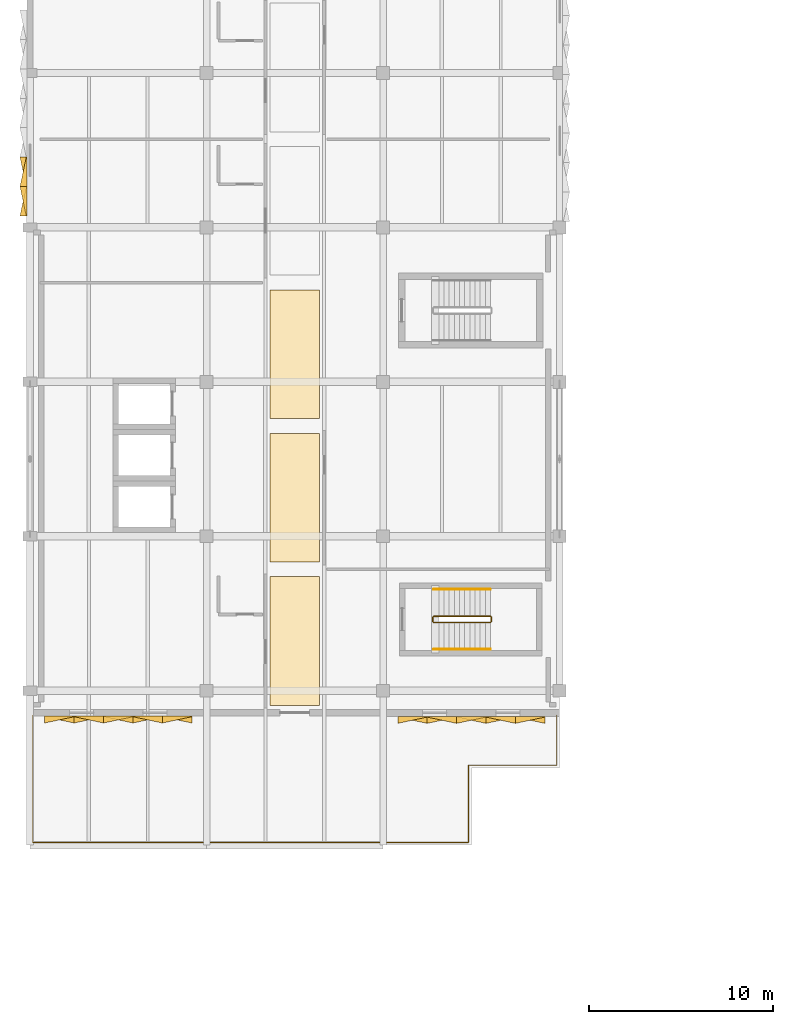
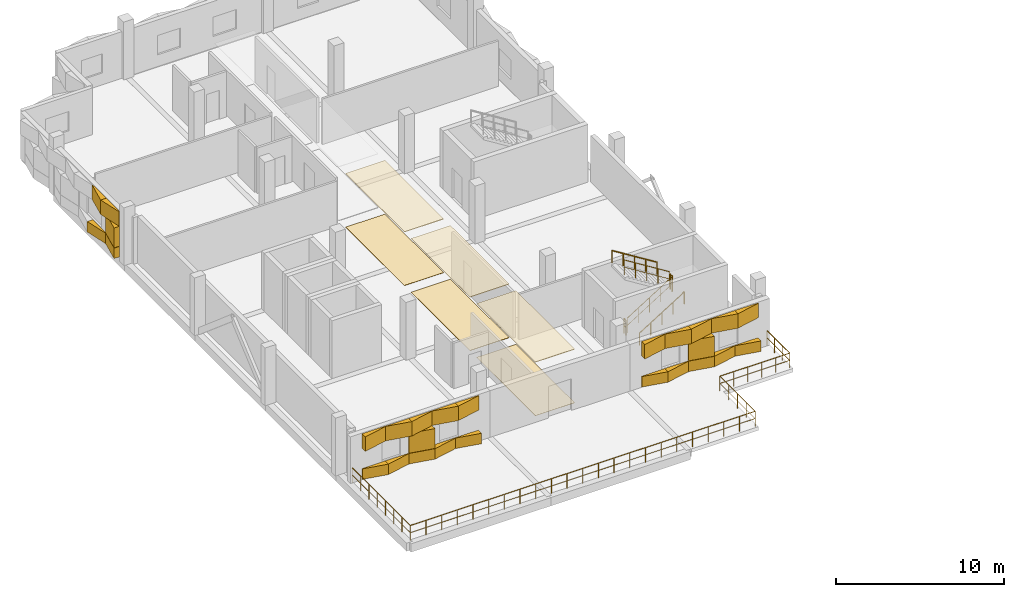
# One storey, part 18 of 24: 33 coverings, 7 railings.
"""IFC4 building model written with IfcOpenShell, lengths in metres."""

from ifc_helpers import new_model, si_unit, direction, frame, origin, origin_2d, place, context, subcontext, project, spatial, polyline, circle, outline, extrude, material, layer, layer_set, type_object, element, save


model = new_model("IFC4")

# Units and contexts
model_context = context("Model", 3, precision=1e-05, world=origin(), true_north=direction((0.0, 1.0)))
body_context = subcontext(model_context, "Body", "Model", "MODEL_VIEW")
ifc_project = project(units=[si_unit("LENGTHUNIT", "METRE"), si_unit("AREAUNIT", "SQUARE_METRE"), si_unit("VOLUMEUNIT", "CUBIC_METRE"), si_unit("PLANEANGLEUNIT", "RADIAN"), si_unit("MASSUNIT", "GRAM", prefix="KILO")], contexts=[model_context])

# Site, building, storey
site_placement = place(None, origin())
site = spatial("IfcSite", under=ifc_project, at=site_placement, CompositionType="ELEMENT")
building_placement = place(site_placement, origin())
building = spatial("IfcBuilding", under=site, at=building_placement, Name="Oolite Switchyard Hospital", CompositionType="ELEMENT")
storey_placement = place(building_placement, frame((0.0, 0.0, 22.0)))
storey = spatial("IfcBuildingStorey", under=building, at=storey_placement, Name="L05", CompositionType="ELEMENT", Elevation=22.0)

# Coverings
ifc_material_1 = material(Name="Hygienic washable mineral-fibre acoustic ceiling")
ifc_layer_1 = layer(ifc_material_1, 0.0400390625)
ifc_layer_set_1 = layer_set([ifc_layer_1], Name="COV-CEIL-AC60")
covering_type_1 = type_object("IfcCoveringType", Name="COV-CEIL-AC60", PredefinedType="CEILING", material=ifc_layer_set_1)
covering_1_placement = place(storey_placement, frame((0.0, 0.0, 3.885009765625)))
element("IfcCovering", 1, at=covering_1_placement, inside=storey, type_object=covering_type_1, Name="L05 West Cardiac Telemetry Ward Corridor Ceiling 1", PredefinedType="CEILING", context=body_context, shape_type="SweptSolid", body=[
    extrude(outline(polyline([(13.050048828125, 41.199951171875), (15.75, 41.199951171875), (15.75, 48.199951171875), (13.050048828125, 48.199951171875), (13.050048828125, 41.199951171875)])), origin(), (0.0, 0.0, 1.0), 0.0400390625),
])
covering_2_placement = place(storey_placement, frame((0.0, 0.0, 3.885009765625)))
element("IfcCovering", 2, at=covering_2_placement, inside=storey, type_object=covering_type_1, Name="L05 West Cardiac Telemetry Ward Corridor Ceiling 2", PredefinedType="CEILING", context=body_context, shape_type="SweptSolid", body=[
    extrude(outline(polyline([(13.050048828125, 49.0), (15.75, 49.0), (15.75, 56.0), (13.050048828125, 56.0), (13.050048828125, 49.0)])), origin(), (0.0, 0.0, 1.0), 0.0400390625),
])
covering_3_placement = place(storey_placement, frame((0.0, 0.0, 3.885009765625)))
element("IfcCovering", 3, at=covering_3_placement, inside=storey, type_object=covering_type_1, Name="L05 West Cardiac Telemetry Ward Corridor Ceiling 3", PredefinedType="CEILING", context=body_context, shape_type="SweptSolid", body=[
    extrude(outline(polyline([(13.050048828125, 56.800048828125), (15.75, 56.800048828125), (15.75, 63.800048828125), (13.050048828125, 63.800048828125), (13.050048828125, 56.800048828125)])), origin(), (0.0, 0.0, 1.0), 0.0400390625),
])
ifc_material_2 = material(Name="Precast oolitic limestone architectural concrete C40/50", Category="masonry")
covering_type_2 = type_object("IfcCoveringType", Name="COV-CHEV-WARM", PredefinedType="CLADDING", material=ifc_material_2)
covering_4_placement = place(storey_placement, frame((8.800048828125, 40.6298828125, 0.050048828125), z_axis=(0.0, 0.0, 1.0), x_axis=(-1.0, 0.0, 0.0)))
element("IfcCovering", 4, at=covering_4_placement, inside=storey, type_object=covering_type_2, Name="L05 Chevron Precast Oolite Panel 1047", PredefinedType="CLADDING", context=body_context, shape_type="SweptSolid", body=[
    extrude(outline(polyline([(0.0, 0.0), (1.60009765625, 0.0), (1.60009765625, 0.044921875), (0.0, 0.385009765625), (0.0, 0.0)])), origin(), (0.0, 0.0, 1.0), 0.760009765625),
])
covering_5_placement = place(storey_placement, frame((8.800048828125, 40.6298828125, 2.2900390625), z_axis=(0.0, 0.0, 1.0), x_axis=(-1.0, 0.0, 0.0)))
element("IfcCovering", 5, at=covering_5_placement, inside=storey, type_object=covering_type_2, Name="L05 Chevron Precast Oolite Panel 1048", PredefinedType="CLADDING", context=body_context, shape_type="SweptSolid", body=[
    extrude(outline(polyline([(0.0, 0.0), (1.60009765625, 0.0), (1.60009765625, 0.385009765625), (0.0, 0.044921875), (0.0, 0.0)])), origin(), (0.0, 0.0, 1.0), 1.050048828125),
])
covering_6_placement = place(storey_placement, frame((7.199951171875, 40.6298828125, 0.050048828125), z_axis=(0.0, 0.0, 1.0), x_axis=(-1.0, 0.0, 0.0)))
element("IfcCovering", 6, at=covering_6_placement, inside=storey, type_object=covering_type_2, Name="L05 Chevron Precast Oolite Panel 1049", PredefinedType="CLADDING", context=body_context, shape_type="SweptSolid", body=[
    extrude(outline(polyline([(0.0, 0.0), (1.599853515625, 0.0), (1.599853515625, 0.385009765625), (0.0, 0.044921875), (0.0, 0.0)])), origin(), (0.0, 0.0, 1.0), 0.760009765625),
])
covering_7_placement = place(storey_placement, frame((7.199951171875, 40.6298828125, 2.2900390625), z_axis=(0.0, 0.0, 1.0), x_axis=(-1.0, 0.0, 0.0)))
element("IfcCovering", 7, at=covering_7_placement, inside=storey, type_object=covering_type_2, Name="L05 Chevron Precast Oolite Panel 1050", PredefinedType="CLADDING", context=body_context, shape_type="SweptSolid", body=[
    extrude(outline(polyline([(0.0, 0.0), (1.599853515625, 0.0), (1.599853515625, 0.044921875), (0.0, 0.385009765625), (0.0, 0.0)])), origin(), (0.0, 0.0, 1.0), 1.050048828125),
])
covering_8_placement = place(storey_placement, frame((5.60009765625, 40.6298828125, 0.050048828125), z_axis=(0.0, 0.0, 1.0), x_axis=(-1.0, 0.0, 0.0)))
element("IfcCovering", 8, at=covering_8_placement, inside=storey, type_object=covering_type_2, Name="L05 Chevron Precast Oolite Panel 1051", PredefinedType="CLADDING", context=body_context, shape_type="SweptSolid", body=[
    extrude(outline(polyline([(0.0, 0.0), (1.60009765625, 0.0), (1.60009765625, 0.044921875), (0.0, 0.385009765625), (0.0, 0.0)])), origin(), (0.0, 0.0, 1.0), 0.760009765625),
])
covering_9_placement = place(storey_placement, frame((5.60009765625, 40.6298828125, 2.2900390625), z_axis=(0.0, 0.0, 1.0), x_axis=(-1.0, 0.0, 0.0)))
element("IfcCovering", 9, at=covering_9_placement, inside=storey, type_object=covering_type_2, Name="L05 Chevron Precast Oolite Panel 1052", PredefinedType="CLADDING", context=body_context, shape_type="SweptSolid", body=[
    extrude(outline(polyline([(0.0, 0.0), (1.60009765625, 0.0), (1.60009765625, 0.385009765625), (0.0, 0.044921875), (0.0, 0.0)])), origin(), (0.0, 0.0, 1.0), 1.050048828125),
])
covering_10_placement = place(storey_placement, frame((5.60009765625, 40.6298828125, 0.830078125), z_axis=(0.0, 0.0, 1.0), x_axis=(-1.0, 0.0, 0.0)))
element("IfcCovering", 10, at=covering_10_placement, inside=storey, type_object=covering_type_2, Name="L05 Chevron Precast Oolite Panel 1053", PredefinedType="CLADDING", context=body_context, shape_type="SweptSolid", body=[
    extrude(outline(polyline([(0.0, 0.0), (1.60009765625, 0.0), (1.60009765625, 0.044921875), (0.0, 0.385009765625), (0.0, 0.0)])), origin(), (0.0, 0.0, 1.0), 1.43994140625),
])
covering_11_placement = place(storey_placement, frame((4.0, 40.6298828125, 0.050048828125), z_axis=(0.0, 0.0, 1.0), x_axis=(-1.0, 0.0, 0.0)))
element("IfcCovering", 11, at=covering_11_placement, inside=storey, type_object=covering_type_2, Name="L05 Chevron Precast Oolite Panel 1054", PredefinedType="CLADDING", context=body_context, shape_type="SweptSolid", body=[
    extrude(outline(polyline([(0.0, 0.0), (1.60009765625, 0.0), (1.60009765625, 0.385009765625), (0.0, 0.044921875), (0.0, 0.0)])), origin(), (0.0, 0.0, 1.0), 0.760009765625),
])
covering_12_placement = place(storey_placement, frame((4.0, 40.6298828125, 2.2900390625), z_axis=(0.0, 0.0, 1.0), x_axis=(-1.0, 0.0, 0.0)))
element("IfcCovering", 12, at=covering_12_placement, inside=storey, type_object=covering_type_2, Name="L05 Chevron Precast Oolite Panel 1055", PredefinedType="CLADDING", context=body_context, shape_type="SweptSolid", body=[
    extrude(outline(polyline([(0.0, 0.0), (1.60009765625, 0.0), (1.60009765625, 0.044921875), (0.0, 0.385009765625), (0.0, 0.0)])), origin(), (0.0, 0.0, 1.0), 1.050048828125),
])
covering_13_placement = place(storey_placement, frame((2.39990234375, 40.6298828125, 0.050048828125), z_axis=(0.0, 0.0, 1.0), x_axis=(-1.0, 0.0, 0.0)))
element("IfcCovering", 13, at=covering_13_placement, inside=storey, type_object=covering_type_2, Name="L05 Chevron Precast Oolite Panel 1056", PredefinedType="CLADDING", context=body_context, shape_type="SweptSolid", body=[
    extrude(outline(polyline([(0.0, 0.0), (1.599853515625, 0.0), (1.599853515625, 0.044921875), (0.0, 0.385009765625), (0.0, 0.0)])), origin(), (0.0, 0.0, 1.0), 0.760009765625),
])
covering_14_placement = place(storey_placement, frame((2.39990234375, 40.6298828125, 2.2900390625), z_axis=(0.0, 0.0, 1.0), x_axis=(-1.0, 0.0, 0.0)))
element("IfcCovering", 14, at=covering_14_placement, inside=storey, type_object=covering_type_2, Name="L05 Chevron Precast Oolite Panel 1057", PredefinedType="CLADDING", context=body_context, shape_type="SweptSolid", body=[
    extrude(outline(polyline([(0.0, 0.0), (1.599853515625, 0.0), (1.599853515625, 0.385009765625), (0.0, 0.044921875), (0.0, 0.0)])), origin(), (0.0, 0.0, 1.0), 1.050048828125),
])
covering_15_placement = place(storey_placement, frame((28.0, 40.610107421875, 0.050048828125), z_axis=(0.0, 0.0, 1.0), x_axis=(-1.0, 0.0, 0.0)))
element("IfcCovering", 15, at=covering_15_placement, inside=storey, type_object=covering_type_2, Name="L05 Chevron Precast Oolite Panel 1058", PredefinedType="CLADDING", context=body_context, shape_type="SweptSolid", body=[
    extrude(outline(polyline([(0.0, 0.0), (1.60009765625, 0.0), (1.60009765625, 0.044921875), (0.0, 0.385009765625), (0.0, 0.0)])), origin(), (0.0, 0.0, 1.0), 0.760009765625),
])
covering_16_placement = place(storey_placement, frame((28.0, 40.610107421875, 2.2900390625), z_axis=(0.0, 0.0, 1.0), x_axis=(-1.0, 0.0, 0.0)))
element("IfcCovering", 16, at=covering_16_placement, inside=storey, type_object=covering_type_2, Name="L05 Chevron Precast Oolite Panel 1059", PredefinedType="CLADDING", context=body_context, shape_type="SweptSolid", body=[
    extrude(outline(polyline([(0.0, 0.0), (1.60009765625, 0.0), (1.60009765625, 0.385009765625), (0.0, 0.044921875), (0.0, 0.0)])), origin(), (0.0, 0.0, 1.0), 1.050048828125),
])
covering_17_placement = place(storey_placement, frame((26.39990234375, 40.610107421875, 0.050048828125), z_axis=(0.0, 0.0, 1.0), x_axis=(-1.0, 0.0, 0.0)))
element("IfcCovering", 17, at=covering_17_placement, inside=storey, type_object=covering_type_2, Name="L05 Chevron Precast Oolite Panel 1060", PredefinedType="CLADDING", context=body_context, shape_type="SweptSolid", body=[
    extrude(outline(polyline([(0.0, 0.0), (1.599853515625, 0.0), (1.599853515625, 0.385009765625), (0.0, 0.044921875), (0.0, 0.0)])), origin(), (0.0, 0.0, 1.0), 0.760009765625),
])
covering_18_placement = place(storey_placement, frame((26.39990234375, 40.610107421875, 2.2900390625), z_axis=(0.0, 0.0, 1.0), x_axis=(-1.0, 0.0, 0.0)))
element("IfcCovering", 18, at=covering_18_placement, inside=storey, type_object=covering_type_2, Name="L05 Chevron Precast Oolite Panel 1061", PredefinedType="CLADDING", context=body_context, shape_type="SweptSolid", body=[
    extrude(outline(polyline([(0.0, 0.0), (1.599853515625, 0.0), (1.599853515625, 0.044921875), (0.0, 0.385009765625), (0.0, 0.0)])), origin(), (0.0, 0.0, 1.0), 1.050048828125),
])
covering_19_placement = place(storey_placement, frame((24.800048828125, 40.610107421875, 0.050048828125), z_axis=(0.0, 0.0, 1.0), x_axis=(-1.0, 0.0, 0.0)))
element("IfcCovering", 19, at=covering_19_placement, inside=storey, type_object=covering_type_2, Name="L05 Chevron Precast Oolite Panel 1062", PredefinedType="CLADDING", context=body_context, shape_type="SweptSolid", body=[
    extrude(outline(polyline([(0.0, 0.0), (1.60009765625, 0.0), (1.60009765625, 0.044921875), (0.0, 0.385009765625), (0.0, 0.0)])), origin(), (0.0, 0.0, 1.0), 0.760009765625),
])
covering_20_placement = place(storey_placement, frame((24.800048828125, 40.610107421875, 2.2900390625), z_axis=(0.0, 0.0, 1.0), x_axis=(-1.0, 0.0, 0.0)))
element("IfcCovering", 20, at=covering_20_placement, inside=storey, type_object=covering_type_2, Name="L05 Chevron Precast Oolite Panel 1063", PredefinedType="CLADDING", context=body_context, shape_type="SweptSolid", body=[
    extrude(outline(polyline([(0.0, 0.0), (1.60009765625, 0.0), (1.60009765625, 0.385009765625), (0.0, 0.044921875), (0.0, 0.0)])), origin(), (0.0, 0.0, 1.0), 1.050048828125),
])
covering_21_placement = place(storey_placement, frame((24.800048828125, 40.610107421875, 0.830078125), z_axis=(0.0, 0.0, 1.0), x_axis=(-1.0, 0.0, 0.0)))
element("IfcCovering", 21, at=covering_21_placement, inside=storey, type_object=covering_type_2, Name="L05 Chevron Precast Oolite Panel 1064", PredefinedType="CLADDING", context=body_context, shape_type="SweptSolid", body=[
    extrude(outline(polyline([(0.0, 0.0), (1.60009765625, 0.0), (1.60009765625, 0.044921875), (0.0, 0.385009765625), (0.0, 0.0)])), origin(), (0.0, 0.0, 1.0), 1.43994140625),
])
covering_22_placement = place(storey_placement, frame((23.199951171875, 40.610107421875, 0.050048828125), z_axis=(0.0, 0.0, 1.0), x_axis=(-1.0, 0.0, 0.0)))
element("IfcCovering", 22, at=covering_22_placement, inside=storey, type_object=covering_type_2, Name="L05 Chevron Precast Oolite Panel 1065", PredefinedType="CLADDING", context=body_context, shape_type="SweptSolid", body=[
    extrude(outline(polyline([(0.0, 0.0), (1.599853515625, 0.0), (1.599853515625, 0.385009765625), (0.0, 0.044921875), (0.0, 0.0)])), origin(), (0.0, 0.0, 1.0), 0.760009765625),
])
covering_23_placement = place(storey_placement, frame((23.199951171875, 40.610107421875, 2.2900390625), z_axis=(0.0, 0.0, 1.0), x_axis=(-1.0, 0.0, 0.0)))
element("IfcCovering", 23, at=covering_23_placement, inside=storey, type_object=covering_type_2, Name="L05 Chevron Precast Oolite Panel 1066", PredefinedType="CLADDING", context=body_context, shape_type="SweptSolid", body=[
    extrude(outline(polyline([(0.0, 0.0), (1.599853515625, 0.0), (1.599853515625, 0.044921875), (0.0, 0.385009765625), (0.0, 0.0)])), origin(), (0.0, 0.0, 1.0), 1.050048828125),
])
covering_24_placement = place(storey_placement, frame((21.60009765625, 40.610107421875, 0.050048828125), z_axis=(0.0, 0.0, 1.0), x_axis=(-1.0, 0.0, 0.0)))
element("IfcCovering", 24, at=covering_24_placement, inside=storey, type_object=covering_type_2, Name="L05 Chevron Precast Oolite Panel 1067", PredefinedType="CLADDING", context=body_context, shape_type="SweptSolid", body=[
    extrude(outline(polyline([(0.0, 0.0), (1.60009765625, 0.0), (1.60009765625, 0.044921875), (0.0, 0.385009765625), (0.0, 0.0)])), origin(), (0.0, 0.0, 1.0), 0.760009765625),
])
covering_25_placement = place(storey_placement, frame((21.60009765625, 40.610107421875, 2.2900390625), z_axis=(0.0, 0.0, 1.0), x_axis=(-1.0, 0.0, 0.0)))
element("IfcCovering", 25, at=covering_25_placement, inside=storey, type_object=covering_type_2, Name="L05 Chevron Precast Oolite Panel 1068", PredefinedType="CLADDING", context=body_context, shape_type="SweptSolid", body=[
    extrude(outline(polyline([(0.0, 0.0), (1.60009765625, 0.0), (1.60009765625, 0.385009765625), (0.0, 0.044921875), (0.0, 0.0)])), origin(), (0.0, 0.0, 1.0), 1.050048828125),
])
covering_26_placement = place(storey_placement, frame((-0.159912109375, 67.820068359375, 0.050048828125), z_axis=(0.0, 0.0, 1.0), x_axis=(0.0, 1.0, 0.0)))
element("IfcCovering", 26, at=covering_26_placement, inside=storey, type_object=covering_type_2, Name="L05 Chevron Precast Oolite Panel 1239", PredefinedType="CLADDING", context=body_context, shape_type="SweptSolid", body=[
    extrude(outline(polyline([(0.0, 0.0), (1.599853515625, 0.0), (1.599853515625, 0.044921875), (0.0, 0.385009765625), (0.0, 0.0)])), origin(), (0.0, 0.0, 1.0), 0.760009765625),
])
covering_27_placement = place(storey_placement, frame((-0.159912109375, 67.820068359375, 2.2900390625), z_axis=(0.0, 0.0, 1.0), x_axis=(0.0, 1.0, 0.0)))
element("IfcCovering", 27, at=covering_27_placement, inside=storey, type_object=covering_type_2, Name="L05 Chevron Precast Oolite Panel 1240", PredefinedType="CLADDING", context=body_context, shape_type="SweptSolid", body=[
    extrude(outline(polyline([(0.0, 0.0), (1.599853515625, 0.0), (1.599853515625, 0.385009765625), (0.0, 0.044921875), (0.0, 0.0)])), origin(), (0.0, 0.0, 1.0), 1.050048828125),
])
covering_28_placement = place(storey_placement, frame((-0.159912109375, 67.820068359375, 0.830078125), z_axis=(0.0, 0.0, 1.0), x_axis=(0.0, 1.0, 0.0)))
element("IfcCovering", 28, at=covering_28_placement, inside=storey, type_object=covering_type_2, Name="L05 Chevron Precast Oolite Panel 1241", PredefinedType="CLADDING", context=body_context, shape_type="SweptSolid", body=[
    extrude(outline(polyline([(0.0, 0.0), (1.599853515625, 0.0), (1.599853515625, 0.044921875), (0.0, 0.385009765625), (0.0, 0.0)])), origin(), (0.0, 0.0, 1.0), 1.43994140625),
])
covering_29_placement = place(storey_placement, frame((-0.159912109375, 69.419921875, 0.050048828125), z_axis=(0.0, 0.0, 1.0), x_axis=(0.0, 1.0, 0.0)))
element("IfcCovering", 29, at=covering_29_placement, inside=storey, type_object=covering_type_2, Name="L05 Chevron Precast Oolite Panel 1242", PredefinedType="CLADDING", context=body_context, shape_type="SweptSolid", body=[
    extrude(outline(polyline([(0.0, 0.0), (1.60009765625, 0.0), (1.60009765625, 0.385009765625), (0.0, 0.044921875), (0.0, 0.0)])), origin(), (0.0, 0.0, 1.0), 0.760009765625),
])
covering_30_placement = place(storey_placement, frame((-0.159912109375, 69.419921875, 2.2900390625), z_axis=(0.0, 0.0, 1.0), x_axis=(0.0, 1.0, 0.0)))
element("IfcCovering", 30, at=covering_30_placement, inside=storey, type_object=covering_type_2, Name="L05 Chevron Precast Oolite Panel 1243", PredefinedType="CLADDING", context=body_context, shape_type="SweptSolid", body=[
    extrude(outline(polyline([(0.0, 0.0), (1.60009765625, 0.0), (1.60009765625, 0.044921875), (0.0, 0.385009765625), (0.0, 0.0)])), origin(), (0.0, 0.0, 1.0), 1.050048828125),
])
ifc_material_3 = material(Name="Epoxy terrazzo seamless clinical flooring")
ifc_layer_2 = layer(ifc_material_3, 0.02001953125)
ifc_layer_set_2 = layer_set([ifc_layer_2], Name="COV-FLR-TER20")
covering_type_3 = type_object("IfcCoveringType", Name="COV-FLR-TER20", PredefinedType="FLOORING", material=ifc_layer_set_2)
covering_31_placement = place(storey_placement, origin())
element("IfcCovering", 31, at=covering_31_placement, inside=storey, type_object=covering_type_3, Name="L05 West Cardiac Telemetry Ward Corridor Flooring 1", PredefinedType="FLOORING", context=body_context, shape_type="SweptSolid", body=[
    extrude(outline(polyline([(13.050048828125, 41.199951171875), (15.75, 41.199951171875), (15.75, 48.199951171875), (13.050048828125, 48.199951171875), (13.050048828125, 41.199951171875)])), origin(), (0.0, 0.0, 1.0), 0.02001953125),
])
covering_32_placement = place(storey_placement, origin())
element("IfcCovering", 32, at=covering_32_placement, inside=storey, type_object=covering_type_3, Name="L05 West Cardiac Telemetry Ward Corridor Flooring 2", PredefinedType="FLOORING", context=body_context, shape_type="SweptSolid", body=[
    extrude(outline(polyline([(13.050048828125, 49.0), (15.75, 49.0), (15.75, 56.0), (13.050048828125, 56.0), (13.050048828125, 49.0)])), origin(), (0.0, 0.0, 1.0), 0.02001953125),
])
covering_33_placement = place(storey_placement, origin())
element("IfcCovering", 33, at=covering_33_placement, inside=storey, type_object=covering_type_3, Name="L05 West Cardiac Telemetry Ward Corridor Flooring 3", PredefinedType="FLOORING", context=body_context, shape_type="SweptSolid", body=[
    extrude(outline(polyline([(13.050048828125, 56.800048828125), (15.75, 56.800048828125), (15.75, 63.800048828125), (13.050048828125, 63.800048828125), (13.050048828125, 56.800048828125)])), origin(), (0.0, 0.0, 1.0), 0.02001953125),
])

# Railings
ifc_material_4 = material(Name="Precast oolitic limestone classical balustrade", Category="masonry")
railing_type_1 = type_object("IfcRailingType", Name="RL-BAL-110", PredefinedType="BALUSTRADE", material=ifc_material_4)
railing_1_placement = place(storey_placement, frame((0.14990234375, 40.64990234375, 0.0)))
element("IfcRailing", 34, at=railing_1_placement, inside=storey, type_object=railing_type_1, Name="L05 Terrace Perimeter Guard 8", PredefinedType="BALUSTRADE", context=body_context, shape_type="SweptSolid", body=[
    extrude(circle(Radius=0.02392578125, at=origin_2d()), frame((0.0, 0.0, 1.076171875), z_axis=(0.0, -1.0, 0.0), x_axis=(1.0, 0.0, 0.0)), (0.0, 0.0, 1.0), 6.89990234375),
    extrude(circle(Radius=0.015625, at=origin_2d()), frame((0.0, 0.0, 0.550048828125), z_axis=(0.0, -1.0, 0.0), x_axis=(1.0, 0.0, 0.0)), (0.0, 0.0, 1.0), 6.89990234375),
    extrude(circle(Radius=0.02392578125, at=origin_2d()), frame((0.0, -6.89990234375, 1.076171875), z_axis=(1.0, 0.0, 0.0), x_axis=(0.0, 1.0, 0.0)), (0.0, 0.0, 1.0), 23.7001953125),
    extrude(circle(Radius=0.015625, at=origin_2d()), frame((0.0, -6.89990234375, 0.550048828125), z_axis=(1.0, 0.0, 0.0), x_axis=(0.0, 1.0, 0.0)), (0.0, 0.0, 1.0), 23.7001953125),
    extrude(circle(Radius=0.02392578125, at=origin_2d()), frame((23.7001953125, -6.89990234375, 1.076171875), z_axis=(0.0, 1.0, 0.0), x_axis=(-1.0, 0.0, 0.0)), (0.0, 0.0, 1.0), 4.199951171875),
    extrude(circle(Radius=0.015625, at=origin_2d()), frame((23.7001953125, -6.89990234375, 0.550048828125), z_axis=(0.0, 1.0, 0.0), x_axis=(-1.0, 0.0, 0.0)), (0.0, 0.0, 1.0), 4.199951171875),
    extrude(circle(Radius=0.02392578125, at=origin_2d()), frame((23.7001953125, -2.699951171875, 1.076171875), z_axis=(1.0, 0.0, 0.0), x_axis=(0.0, 1.0, 0.0)), (0.0, 0.0, 1.0), 4.7998046875),
    extrude(circle(Radius=0.015625, at=origin_2d()), frame((23.7001953125, -2.699951171875, 0.550048828125), z_axis=(1.0, 0.0, 0.0), x_axis=(0.0, 1.0, 0.0)), (0.0, 0.0, 1.0), 4.7998046875),
    extrude(circle(Radius=0.02392578125, at=origin_2d()), frame((28.5, -2.699951171875, 1.076171875), z_axis=(0.0, 1.0, 0.0), x_axis=(-1.0, 0.0, 0.0)), (0.0, 0.0, 1.0), 2.699951171875),
    extrude(circle(Radius=0.015625, at=origin_2d()), frame((28.5, -2.699951171875, 0.550048828125), z_axis=(0.0, 1.0, 0.0), x_axis=(-1.0, 0.0, 0.0)), (0.0, 0.0, 1.0), 2.699951171875),
    extrude(circle(Radius=0.02099609375, at=origin_2d()), origin(), (0.0, 0.0, 1.0), 1.052001953125),
    extrude(circle(Radius=0.02099609375, at=origin_2d()), frame((0.0, -0.985595703125, 0.0)), (0.0, 0.0, 1.0), 1.052001953125),
    extrude(circle(Radius=0.02099609375, at=origin_2d()), frame((0.0, -1.971435546875, 0.0)), (0.0, 0.0, 1.0), 1.052001953125),
    extrude(circle(Radius=0.02099609375, at=origin_2d()), frame((0.0, -2.95703125, 0.0)), (0.0, 0.0, 1.0), 1.052001953125),
    extrude(circle(Radius=0.02099609375, at=origin_2d()), frame((0.0, -3.94287109375, 0.0)), (0.0, 0.0, 1.0), 1.052001953125),
    extrude(circle(Radius=0.02099609375, at=origin_2d()), frame((0.0, -4.928466796875, 0.0)), (0.0, 0.0, 1.0), 1.052001953125),
    extrude(circle(Radius=0.02099609375, at=origin_2d()), frame((0.0, -5.914306640625, 0.0)), (0.0, 0.0, 1.0), 1.052001953125),
    extrude(circle(Radius=0.02099609375, at=origin_2d()), frame((0.0, -6.89990234375, 0.0)), (0.0, 0.0, 1.0), 1.052001953125),
    extrude(circle(Radius=0.02099609375, at=origin_2d()), frame((1.077392578125, -6.89990234375, 0.0)), (0.0, 0.0, 1.0), 1.052001953125),
    extrude(circle(Radius=0.02099609375, at=origin_2d()), frame((2.154541015625, -6.89990234375, 0.0)), (0.0, 0.0, 1.0), 1.052001953125),
    extrude(circle(Radius=0.02099609375, at=origin_2d()), frame((3.23193359375, -6.89990234375, 0.0)), (0.0, 0.0, 1.0), 1.052001953125),
    extrude(circle(Radius=0.02099609375, at=origin_2d()), frame((4.30908203125, -6.89990234375, 0.0)), (0.0, 0.0, 1.0), 1.052001953125),
    extrude(circle(Radius=0.02099609375, at=origin_2d()), frame((5.386474609375, -6.89990234375, 0.0)), (0.0, 0.0, 1.0), 1.052001953125),
    extrude(circle(Radius=0.02099609375, at=origin_2d()), frame((6.463623046875, -6.89990234375, 0.0)), (0.0, 0.0, 1.0), 1.052001953125),
    extrude(circle(Radius=0.02099609375, at=origin_2d()), frame((7.541015625, -6.89990234375, 0.0)), (0.0, 0.0, 1.0), 1.052001953125),
    extrude(circle(Radius=0.02099609375, at=origin_2d()), frame((8.6181640625, -6.89990234375, 0.0)), (0.0, 0.0, 1.0), 1.052001953125),
    extrude(circle(Radius=0.02099609375, at=origin_2d()), frame((9.695556640625, -6.89990234375, 0.0)), (0.0, 0.0, 1.0), 1.052001953125),
    extrude(circle(Radius=0.02099609375, at=origin_2d()), frame((10.772705078125, -6.89990234375, 0.0)), (0.0, 0.0, 1.0), 1.052001953125),
    extrude(circle(Radius=0.02099609375, at=origin_2d()), frame((11.85009765625, -6.89990234375, 0.0)), (0.0, 0.0, 1.0), 1.052001953125),
    extrude(circle(Radius=0.02099609375, at=origin_2d()), frame((12.927490234375, -6.89990234375, 0.0)), (0.0, 0.0, 1.0), 1.052001953125),
    extrude(circle(Radius=0.02099609375, at=origin_2d()), frame((14.004638671875, -6.89990234375, 0.0)), (0.0, 0.0, 1.0), 1.052001953125),
    extrude(circle(Radius=0.02099609375, at=origin_2d()), frame((15.08203125, -6.89990234375, 0.0)), (0.0, 0.0, 1.0), 1.052001953125),
    extrude(circle(Radius=0.02099609375, at=origin_2d()), frame((16.1591796875, -6.89990234375, 0.0)), (0.0, 0.0, 1.0), 1.052001953125),
    extrude(circle(Radius=0.02099609375, at=origin_2d()), frame((17.236572265625, -6.89990234375, 0.0)), (0.0, 0.0, 1.0), 1.052001953125),
    extrude(circle(Radius=0.02099609375, at=origin_2d()), frame((18.313720703125, -6.89990234375, 0.0)), (0.0, 0.0, 1.0), 1.052001953125),
    extrude(circle(Radius=0.02099609375, at=origin_2d()), frame((19.39111328125, -6.89990234375, 0.0)), (0.0, 0.0, 1.0), 1.052001953125),
    extrude(circle(Radius=0.02099609375, at=origin_2d()), frame((20.46826171875, -6.89990234375, 0.0)), (0.0, 0.0, 1.0), 1.052001953125),
    extrude(circle(Radius=0.02099609375, at=origin_2d()), frame((21.545654296875, -6.89990234375, 0.0)), (0.0, 0.0, 1.0), 1.052001953125),
    extrude(circle(Radius=0.02099609375, at=origin_2d()), frame((22.622802734375, -6.89990234375, 0.0)), (0.0, 0.0, 1.0), 1.052001953125),
    extrude(circle(Radius=0.02099609375, at=origin_2d()), frame((23.7001953125, -6.89990234375, 0.0)), (0.0, 0.0, 1.0), 1.052001953125),
    extrude(circle(Radius=0.02099609375, at=origin_2d()), frame((23.7001953125, -5.849853515625, 0.0)), (0.0, 0.0, 1.0), 1.052001953125),
    extrude(circle(Radius=0.02099609375, at=origin_2d()), frame((23.7001953125, -4.7998046875, 0.0)), (0.0, 0.0, 1.0), 1.052001953125),
    extrude(circle(Radius=0.02099609375, at=origin_2d()), frame((23.7001953125, -3.75, 0.0)), (0.0, 0.0, 1.0), 1.052001953125),
    extrude(circle(Radius=0.02099609375, at=origin_2d()), frame((23.7001953125, -2.699951171875, 0.0)), (0.0, 0.0, 1.0), 1.052001953125),
    extrude(circle(Radius=0.02099609375, at=origin_2d()), frame((24.66015625, -2.699951171875, 0.0)), (0.0, 0.0, 1.0), 1.052001953125),
    extrude(circle(Radius=0.02099609375, at=origin_2d()), frame((25.6201171875, -2.699951171875, 0.0)), (0.0, 0.0, 1.0), 1.052001953125),
    extrude(circle(Radius=0.02099609375, at=origin_2d()), frame((26.580078125, -2.699951171875, 0.0)), (0.0, 0.0, 1.0), 1.052001953125),
    extrude(circle(Radius=0.02099609375, at=origin_2d()), frame((27.5400390625, -2.699951171875, 0.0)), (0.0, 0.0, 1.0), 1.052001953125),
    extrude(circle(Radius=0.02099609375, at=origin_2d()), frame((28.5, -2.699951171875, 0.0)), (0.0, 0.0, 1.0), 1.052001953125),
    extrude(circle(Radius=0.02099609375, at=origin_2d()), frame((28.5, -1.800048828125, 0.0)), (0.0, 0.0, 1.0), 1.052001953125),
    extrude(circle(Radius=0.02099609375, at=origin_2d()), frame((28.5, -0.89990234375, 0.0)), (0.0, 0.0, 1.0), 1.052001953125),
    extrude(circle(Radius=0.02099609375, at=origin_2d()), frame((28.5, 0.0, 0.0)), (0.0, 0.0, 1.0), 1.052001953125),
])
ifc_material_5 = material(Name="Galvanized painted architectural steel handrail", Category="steel")
railing_type_2 = type_object("IfcRailingType", Name="RL-STAIR-GRD", PredefinedType="GUARDRAIL", material=ifc_material_5)
railing_2_placement = place(storey_placement, frame((21.9599609375, 45.7099609375, 0.175048828125)))
element("IfcRailing", 35, at=railing_2_placement, inside=storey, type_object=railing_type_2, Name="L05 ST-01 stair guard 1", PredefinedType="GUARDRAIL", context=body_context, shape_type="SweptSolid", body=[
    extrude(circle(Radius=0.02392578125, at=origin_2d()), frame((0.0, 0.0, 1.076171875), z_axis=(0.847998304005, 0.0, 0.529998940003), x_axis=(0.0, 1.0, 0.0)), (0.0, 0.0, 1.0), 3.632080078125),
    extrude(circle(Radius=0.015625, at=origin_2d()), frame((0.0, 0.0, 0.550048828125), z_axis=(0.847998304005, 0.0, 0.529998940003), x_axis=(0.0, 1.0, 0.0)), (0.0, 0.0, 1.0), 3.632080078125),
    extrude(circle(Radius=0.02099609375, at=origin_2d()), origin(), (0.0, 0.0, 1.0), 1.052001953125),
    extrude(circle(Radius=0.02099609375, at=origin_2d()), frame((0.77001953125, 0.0, 0.481201171875)), (0.0, 0.0, 1.0), 1.052001953125),
    extrude(circle(Radius=0.02099609375, at=origin_2d()), frame((1.5400390625, 0.0, 0.96240234375)), (0.0, 0.0, 1.0), 1.052001953125),
    extrude(circle(Radius=0.02099609375, at=origin_2d()), frame((2.31005859375, 0.0, 1.44384765625)), (0.0, 0.0, 1.0), 1.052001953125),
    extrude(circle(Radius=0.02099609375, at=origin_2d()), frame((3.080078125, 0.0, 1.925048828125)), (0.0, 0.0, 1.0), 1.052001953125),
])
railing_3_placement = place(storey_placement, frame((25.090087890625, 45.760009765625, 2.10009765625)))
element("IfcRailing", 36, at=railing_3_placement, inside=storey, type_object=railing_type_2, Name="L05 ST-01 stair guard 2", PredefinedType="GUARDRAIL", context=body_context, shape_type="SweptSolid", body=[
    extrude(circle(Radius=0.02392578125, at=origin_2d()), frame((0.0, 0.0, 1.076171875), z_axis=(0.0, 1.0, 0.0), x_axis=(-1.0, 0.0, 0.0)), (0.0, 0.0, 1.0), 0.239990234375),
    extrude(circle(Radius=0.015625, at=origin_2d()), frame((0.0, 0.0, 0.550048828125), z_axis=(0.0, 1.0, 0.0), x_axis=(-1.0, 0.0, 0.0)), (0.0, 0.0, 1.0), 0.239990234375),
    extrude(circle(Radius=0.02099609375, at=origin_2d()), origin(), (0.0, 0.0, 1.0), 1.052001953125),
    extrude(circle(Radius=0.02099609375, at=origin_2d()), frame((0.0, 0.239990234375, 0.0)), (0.0, 0.0, 1.0), 1.052001953125),
])
railing_4_placement = place(storey_placement, frame((25.0400390625, 46.050048828125, 2.27490234375)))
element("IfcRailing", 37, at=railing_4_placement, inside=storey, type_object=railing_type_2, Name="L05 ST-01 stair guard 3", PredefinedType="GUARDRAIL", context=body_context, shape_type="SweptSolid", body=[
    extrude(circle(Radius=0.02392578125, at=origin_2d()), frame((0.0, 0.0, 1.076171875), z_axis=(-0.847998304005, 0.0, 0.529998940003), x_axis=(0.0, -1.0, 0.0)), (0.0, 0.0, 1.0), 3.632080078125),
    extrude(circle(Radius=0.015625, at=origin_2d()), frame((0.0, 0.0, 0.550048828125), z_axis=(-0.847998304005, 0.0, 0.529998940003), x_axis=(0.0, -1.0, 0.0)), (0.0, 0.0, 1.0), 3.632080078125),
    extrude(circle(Radius=0.02099609375, at=origin_2d()), origin(), (0.0, 0.0, 1.0), 1.052001953125),
    extrude(circle(Radius=0.02099609375, at=origin_2d()), frame((-0.77001953125, 0.0, 0.481201171875)), (0.0, 0.0, 1.0), 1.052001953125),
    extrude(circle(Radius=0.02099609375, at=origin_2d()), frame((-1.5400390625, 0.0, 0.96240234375)), (0.0, 0.0, 1.0), 1.052001953125),
    extrude(circle(Radius=0.02099609375, at=origin_2d()), frame((-2.31005859375, 0.0, 1.44384765625)), (0.0, 0.0, 1.0), 1.052001953125),
    extrude(circle(Radius=0.02099609375, at=origin_2d()), frame((-3.080078125, 0.0, 1.925048828125)), (0.0, 0.0, 1.0), 1.052001953125),
])
railing_5_placement = place(storey_placement, frame((21.909912109375, 45.760009765625, 0.0)))
element("IfcRailing", 38, at=railing_5_placement, inside=storey, type_object=railing_type_2, Name="L05 ST-01 stair guard 4", PredefinedType="GUARDRAIL", context=body_context, shape_type="SweptSolid", body=[
    extrude(circle(Radius=0.02392578125, at=origin_2d()), frame((0.0, 0.0, 1.076171875), z_axis=(0.0, 1.0, 0.0), x_axis=(-1.0, 0.0, 0.0)), (0.0, 0.0, 1.0), 0.239990234375),
    extrude(circle(Radius=0.015625, at=origin_2d()), frame((0.0, 0.0, 0.550048828125), z_axis=(0.0, 1.0, 0.0), x_axis=(-1.0, 0.0, 0.0)), (0.0, 0.0, 1.0), 0.239990234375),
    extrude(circle(Radius=0.02099609375, at=origin_2d()), origin(), (0.0, 0.0, 1.0), 1.052001953125),
    extrude(circle(Radius=0.02099609375, at=origin_2d()), frame((0.0, 0.239990234375, 0.0)), (0.0, 0.0, 1.0), 1.052001953125),
])
railing_type_3 = type_object("IfcRailingType", Name="RL-STAIR-HND", PredefinedType="HANDRAIL", material=ifc_material_5)
railing_6_placement = place(storey_placement, frame((21.9599609375, 44.25, 0.175048828125)))
element("IfcRailing", 39, at=railing_6_placement, inside=storey, type_object=railing_type_3, Name="L05 ST-01 stair handrail 1", PredefinedType="HANDRAIL", context=body_context, shape_type="SweptSolid", body=[
    extrude(circle(Radius=0.02392578125, at=origin_2d()), frame((0.0, 0.0, 0.8759765625), z_axis=(0.847998304005, 0.0, 0.529998940003), x_axis=(0.0, 1.0, 0.0)), (0.0, 0.0, 1.0), 3.632080078125),
    extrude(circle(Radius=0.02099609375, at=origin_2d()), origin(), (0.0, 0.0, 1.0), 0.851806640625),
    extrude(circle(Radius=0.02099609375, at=origin_2d()), frame((0.77001953125, 0.0, 0.481201171875)), (0.0, 0.0, 1.0), 0.851806640625),
    extrude(circle(Radius=0.02099609375, at=origin_2d()), frame((1.5400390625, 0.0, 0.96240234375)), (0.0, 0.0, 1.0), 0.851806640625),
    extrude(circle(Radius=0.02099609375, at=origin_2d()), frame((2.31005859375, 0.0, 1.44384765625)), (0.0, 0.0, 1.0), 0.851806640625),
    extrude(circle(Radius=0.02099609375, at=origin_2d()), frame((3.080078125, 0.0, 1.925048828125)), (0.0, 0.0, 1.0), 0.851806640625),
])
railing_7_placement = place(storey_placement, frame((25.0400390625, 47.510009765625, 2.27490234375)))
element("IfcRailing", 40, at=railing_7_placement, inside=storey, type_object=railing_type_3, Name="L05 ST-01 stair handrail 2", PredefinedType="HANDRAIL", context=body_context, shape_type="SweptSolid", body=[
    extrude(circle(Radius=0.02392578125, at=origin_2d()), frame((0.0, 0.0, 0.8759765625), z_axis=(-0.847998304005, 0.0, 0.529998940003), x_axis=(0.0, -1.0, 0.0)), (0.0, 0.0, 1.0), 3.632080078125),
    extrude(circle(Radius=0.02099609375, at=origin_2d()), origin(), (0.0, 0.0, 1.0), 0.851806640625),
    extrude(circle(Radius=0.02099609375, at=origin_2d()), frame((-0.77001953125, 0.0, 0.481201171875)), (0.0, 0.0, 1.0), 0.851806640625),
    extrude(circle(Radius=0.02099609375, at=origin_2d()), frame((-1.5400390625, 0.0, 0.96240234375)), (0.0, 0.0, 1.0), 0.851806640625),
    extrude(circle(Radius=0.02099609375, at=origin_2d()), frame((-2.31005859375, 0.0, 1.44384765625)), (0.0, 0.0, 1.0), 0.851806640625),
    extrude(circle(Radius=0.02099609375, at=origin_2d()), frame((-3.080078125, 0.0, 1.925048828125)), (0.0, 0.0, 1.0), 0.851806640625),
])

save(model, "model.ifc")
